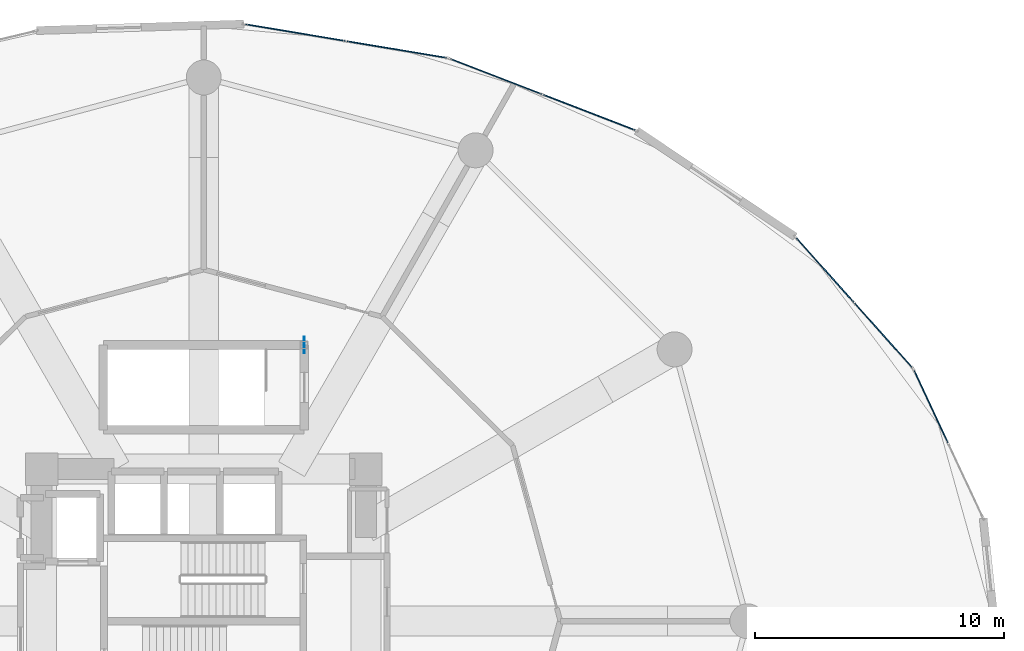
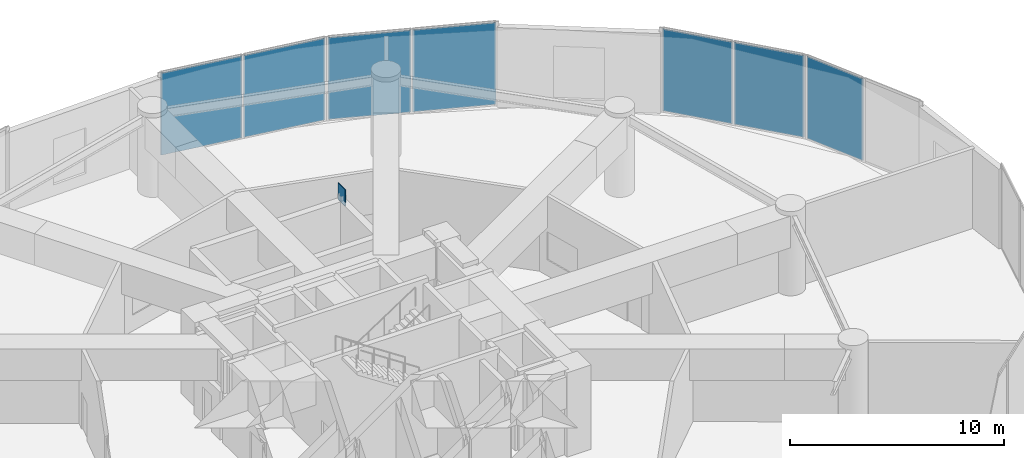
# One storey, part 22 of 27: 8 plates, 4 elements without a shape of their own.
"""IFC4 building model written with IfcOpenShell, lengths in metres."""

from ifc_helpers import new_model, si_unit, direction, frame, origin, origin_2d, place, context, subcontext, project, spatial, rectangle, extrude, source, transform, mapped, material, layer, layer_set, type_object, element, aggregate, save


model = new_model("IFC4")

# Units and contexts
model_context = context("Model", 3, precision=1e-05, world=origin(), true_north=direction((0.0, 1.0)))
body_context = subcontext(model_context, "Body", "Model", "MODEL_VIEW")
ifc_project = project(units=[si_unit("LENGTHUNIT", "METRE"), si_unit("AREAUNIT", "SQUARE_METRE"), si_unit("VOLUMEUNIT", "CUBIC_METRE"), si_unit("PLANEANGLEUNIT", "RADIAN"), si_unit("MASSUNIT", "GRAM", prefix="KILO")], contexts=[model_context])

# Site, building, storey
site_placement = place(None, origin())
site = spatial("IfcSite", under=ifc_project, at=site_placement, CompositionType="ELEMENT")
building_placement = place(site_placement, origin())
building = spatial("IfcBuilding", under=site, at=building_placement, Name="Solvirekh Grand Hotel", CompositionType="ELEMENT")
storey_placement = place(building_placement, frame((0.0, 0.0, 23.60009765625)))
storey = spatial("IfcBuildingStorey", under=building, at=storey_placement, Name="L04", CompositionType="ELEMENT", Elevation=23.60009765625)

# Plate
ifc_material_1 = material(Name="Steel S355", Category="steel")
ifc_layer_1 = layer(ifc_material_1, 0.0400390625)
ifc_layer_set_1 = layer_set([ifc_layer_1], Name="Steel S355")
plate_type_1 = type_object("IfcPlateType", Name="NodeCapPlate_40", PredefinedType="SHEET", material=ifc_layer_set_1)
plate_1_placement = place(storey_placement, frame((4.02490234375, 11.074951171875, 4.32470703125), z_axis=(0.0, 0.0, 1.0), x_axis=(1.0, 0.0, 0.0)))
element("IfcPlate", 1, at=plate_1_placement, inside=storey, type_object=plate_type_1, Name="L04 hollow-section node plate PL-L04-STPOST-CAP-2", PredefinedType="SHEET", context=body_context, shape_type="SweptSolid", body=[
    extrude(rectangle(XDim=0.0400390625, YDim=0.64990234375, at=origin_2d()), origin(), (0.0, 0.0, 1.0), 0.949951171875),
])

# Curtain wall, plate
ifc_material_2 = material(Name="Anodized Bronze Aluminium 6063-T6", Category="aluminium")
ifc_layer_2 = layer(ifc_material_2, 0.219970703125)
ifc_layer_set_2 = layer_set([ifc_layer_2], Name="Anodized Bronze Aluminium 6063-T6")
curtain_wall_type = type_object("IfcCurtainWallType", Name="CW_Sys1_PodiumBronzeUnitised", PredefinedType="NOTDEFINED", material=ifc_layer_set_2)
curtain_wall_1_placement = place(storey_placement, origin())
curtain_wall_1 = element("IfcCurtainWall", 2, at=curtain_wall_1_placement, inside=storey, type_object=curtain_wall_type, Name="L04 unitised bronze-glass curtain wall CW-L04-C02", PredefinedType="NOTDEFINED")
ifc_material_3 = material(Name="Low-E Tinted Bronze Laminated Glass", Category="aluminium")
ifc_layer_3 = layer(ifc_material_3, 0.0439453125)
ifc_layer_set_3 = layer_set([ifc_layer_3], Name="Low-E Tinted Bronze Laminated Glass")
plate_type_2 = type_object("IfcPlateType", Name="CWPanel_Podium_44", PredefinedType="CURTAIN_PANEL", material=ifc_layer_set_3)
shared_shape_1 = source(origin(), body_context, "Body", "SweptSolid", [
    extrude(rectangle(XDim=3.193603515625, YDim=0.0439453125, at=origin_2d()), origin(), (0.0, 0.0, 1.0), 4.669921875),
])
plate_2_placement = place(storey_placement, frame((29.162353515625, 8.602783203125, 0.06494140625), z_axis=(0.0, 0.0, 1.0), x_axis=(-0.42377116947, 0.905769284049, 0.0)))
plate_2 = element("IfcPlate", 3, at=plate_2_placement, type_object=plate_type_2, Name="U01 panel 2.1", PredefinedType="CURTAIN_PANEL", context=body_context, shape_type="MappedRepresentation", body=[
    mapped(shared_shape_1, transform((0.0, 0.0, 0.0), x_axis=(1.0, 0.0, 0.0), y_axis=(0.0, 1.0, 0.0), z_axis=(0.0, 0.0, 1.0), scale=1.0)),
])
aggregate(curtain_wall_1, [plate_2])

# Curtain wall, plates
curtain_wall_2_placement = place(storey_placement, origin())
curtain_wall_2 = element("IfcCurtainWall", 4, at=curtain_wall_2_placement, inside=storey, type_object=curtain_wall_type, Name="L04 unitised bronze-glass curtain wall CW-L04-C03", PredefinedType="NOTDEFINED")
shared_shape_2 = source(origin(), body_context, "Body", "SweptSolid", [
    extrude(rectangle(XDim=3.443115234375, YDim=0.0439453125, at=origin_2d()), origin(), (0.0, 0.0, 1.0), 4.669921875),
])
plate_3_placement = place(storey_placement, frame((27.25634765625, 11.4560546875, 0.06494140625), z_axis=(0.0, 0.0, 1.0), x_axis=(-0.666708532187, 0.745318544724, 0.0)))
plate_3 = element("IfcPlate", 5, at=plate_3_placement, type_object=plate_type_2, Name="U01 panel 1.1", PredefinedType="CURTAIN_PANEL", context=body_context, shape_type="MappedRepresentation", body=[
    mapped(shared_shape_2, transform((0.0, 0.0, 0.0), x_axis=(1.0, 0.0, 0.0), y_axis=(0.0, 1.0, 0.0), z_axis=(0.0, 0.0, 1.0), scale=1.0)),
])
plate_4_placement = place(storey_placement, frame((24.91064453125, 14.078125, 0.06494140625), z_axis=(0.0, 0.0, 1.0), x_axis=(-0.666708532187, 0.745318544724, 0.0)))
plate_4 = element("IfcPlate", 6, at=plate_4_placement, type_object=plate_type_2, Name="U01 panel 2.1", PredefinedType="CURTAIN_PANEL", context=body_context, shape_type="MappedRepresentation", body=[
    mapped(shared_shape_2, transform((0.0, 0.0, 0.0), x_axis=(1.0, 0.0, 0.0), y_axis=(0.0, 1.0, 0.0), z_axis=(0.0, 0.0, 1.0), scale=1.0)),
])
aggregate(curtain_wall_2, [plate_3, plate_4])

curtain_wall_3_placement = place(storey_placement, origin())
curtain_wall_3 = element("IfcCurtainWall", 7, at=curtain_wall_3_placement, inside=storey, type_object=curtain_wall_type, Name="L04 unitised bronze-glass curtain wall CW-L04-C05", PredefinedType="NOTDEFINED")
shared_shape_3 = source(origin(), body_context, "Body", "SweptSolid", [
    extrude(rectangle(XDim=3.928466796875, YDim=0.0439453125, at=origin_2d()), origin(), (0.0, 0.0, 1.0), 4.669921875),
])
plate_5_placement = place(storey_placement, frame((15.45361328125, 20.400146484375, 0.06494140625), z_axis=(0.0, 0.0, 1.0), x_axis=(-0.93293042178, 0.360056701252, 0.0)))
plate_5 = element("IfcPlate", 8, at=plate_5_placement, type_object=plate_type_2, Name="U01 panel 1.1", PredefinedType="CURTAIN_PANEL", context=body_context, shape_type="MappedRepresentation", body=[
    mapped(shared_shape_3, transform((0.0, 0.0, 0.0), x_axis=(1.0, 0.0, 0.0), y_axis=(0.0, 1.0, 0.0), z_axis=(0.0, 0.0, 1.0), scale=1.0)),
])
plate_6_placement = place(storey_placement, frame((11.718505859375, 21.841796875, 0.06494140625), z_axis=(0.0, 0.0, 1.0), x_axis=(-0.93293042178, 0.360056701252, 0.0)))
plate_6 = element("IfcPlate", 9, at=plate_6_placement, type_object=plate_type_2, Name="U01 panel 2.1", PredefinedType="CURTAIN_PANEL", context=body_context, shape_type="MappedRepresentation", body=[
    mapped(shared_shape_3, transform((0.0, 0.0, 0.0), x_axis=(1.0, 0.0, 0.0), y_axis=(0.0, 1.0, 0.0), z_axis=(0.0, 0.0, 1.0), scale=1.0)),
])
aggregate(curtain_wall_3, [plate_5, plate_6])

curtain_wall_4_placement = place(storey_placement, origin())
curtain_wall_4 = element("IfcCurtainWall", 10, at=curtain_wall_4_placement, inside=storey, type_object=curtain_wall_type, Name="L04 unitised bronze-glass curtain wall CW-L04-C06", PredefinedType="NOTDEFINED")
shared_shape_4 = source(origin(), body_context, "Body", "SweptSolid", [
    extrude(rectangle(XDim=4.048828125, YDim=0.0439453125, at=origin_2d()), origin(), (0.0, 0.0, 1.0), 4.669921875),
])
plate_7_placement = place(storey_placement, frame((7.745361328125, 22.921630859375, 0.06494140625), z_axis=(0.0, 0.0, 1.0), x_axis=(-0.98635817858, 0.16461331522, 0.0)))
plate_7 = element("IfcPlate", 11, at=plate_7_placement, type_object=plate_type_2, Name="U01 panel 1.1", PredefinedType="CURTAIN_PANEL", context=body_context, shape_type="MappedRepresentation", body=[
    mapped(shared_shape_4, transform((0.0, 0.0, 0.0), x_axis=(1.0, 0.0, 0.0), y_axis=(0.0, 1.0, 0.0), z_axis=(0.0, 0.0, 1.0), scale=1.0)),
])
plate_8_placement = place(storey_placement, frame((3.677734375, 23.600341796875, 0.06494140625), z_axis=(0.0, 0.0, 1.0), x_axis=(-0.98635817858, 0.16461331522, 0.0)))
plate_8 = element("IfcPlate", 12, at=plate_8_placement, type_object=plate_type_2, Name="U01 panel 2.1", PredefinedType="CURTAIN_PANEL", context=body_context, shape_type="MappedRepresentation", body=[
    mapped(shared_shape_4, transform((0.0, 0.0, 0.0), x_axis=(1.0, 0.0, 0.0), y_axis=(0.0, 1.0, 0.0), z_axis=(0.0, 0.0, 1.0), scale=1.0)),
])
aggregate(curtain_wall_4, [plate_7, plate_8])

save(model, "model.ifc")
